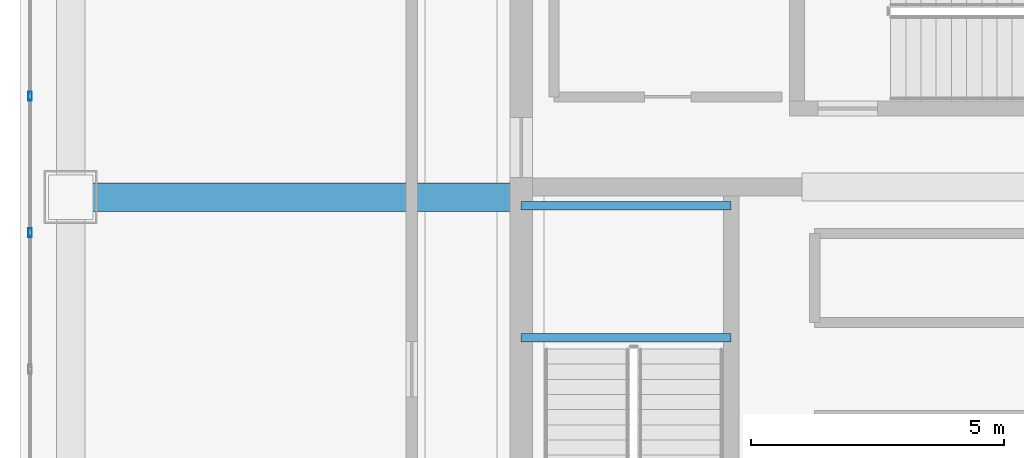
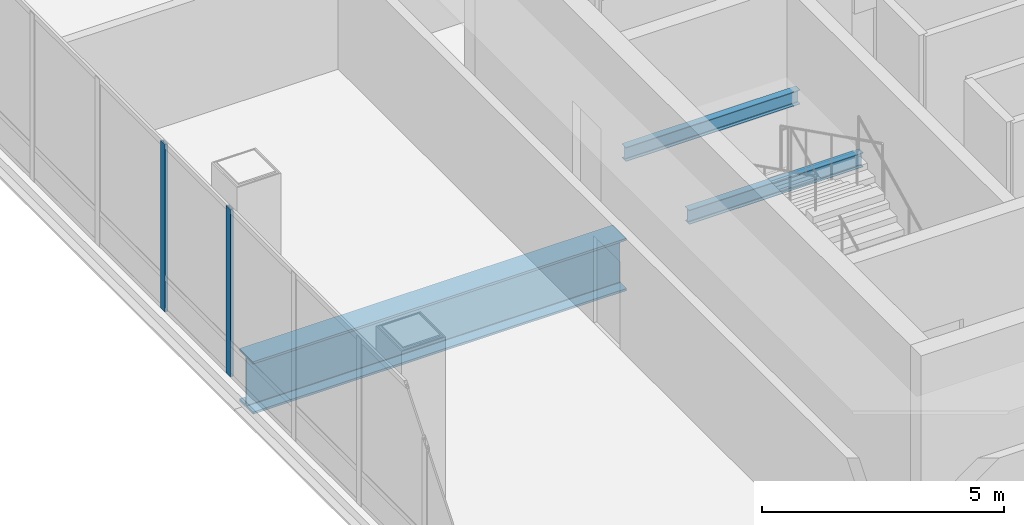
# One storey, part 11 of 33: 3 beams, 2 members, 1 element without a shape of its own.
"""IFC4 building model written with IfcOpenShell, lengths in metres."""

from ifc_helpers import new_model, si_unit, direction, frame, origin, origin_2d, place, context, subcontext, project, spatial, hollow_rectangle, i_section, extrude, material, material_profile, profile_set, type_object, element, aggregate, save


model = new_model("IFC4")

# Units and contexts
model_context = context("Model", 3, precision=1e-05, world=origin(), true_north=direction((0.0, 1.0)))
body_context = subcontext(model_context, "Body", "Model", "MODEL_VIEW")
ifc_project = project(units=[si_unit("LENGTHUNIT", "METRE"), si_unit("AREAUNIT", "SQUARE_METRE"), si_unit("VOLUMEUNIT", "CUBIC_METRE"), si_unit("PLANEANGLEUNIT", "RADIAN"), si_unit("MASSUNIT", "GRAM", prefix="KILO")], contexts=[model_context])

# Site, building, storey
site_placement = place(None, origin())
site = spatial("IfcSite", under=ifc_project, at=site_placement, CompositionType="ELEMENT")
building_placement = place(site_placement, origin())
building = spatial("IfcBuilding", under=site, at=building_placement, Name="Punatoya Terracotta Tower", CompositionType="ELEMENT")
storey_placement = place(building_placement, frame((0.0, 0.0, 348.300048828125)))
storey = spatial("IfcBuildingStorey", under=building, at=storey_placement, Name="L82", CompositionType="ELEMENT", Elevation=348.300048828125)

# Beams
ifc_material_1 = material(Name="Steel S355", Category="steel")
ifc_material_profile_1 = material_profile(ifc_material_1, i_section(OverallWidth=0.169921875, OverallDepth=0.360107421875, WebThickness=0.008056640625, FlangeThickness=0.0126953125, FilletRadius=0.01806640625, at=origin_2d()))
ifc_profile_set_1 = profile_set([ifc_material_profile_1], Name="Steel S355")
beam_type_1 = type_object("IfcBeamType", Name="BM-SEC-360", PredefinedType="JOIST", material=ifc_profile_set_1)
for number, where, z_axis, x_axis, name in (
    (1, (-10.199951171875, 0.6201171875, 1.869873046875), (1.0, 0.0, 0.0), (0.0, 1.0, 0.0), "BM-L82-ST-1-LD1A"),
    (2, (-10.199951171875, 3.22998046875, 1.869873046875), (1.0, 0.0, 0.0), (0.0, 1.0, 0.0), "BM-L82-ST-1-LD1B"),
):
    element("IfcBeam", number, at=place(storey_placement, frame(where, z_axis=z_axis, x_axis=x_axis)), inside=storey, type_object=beam_type_1, Name=name, PredefinedType="JOIST", context=body_context, shape_type="SweptSolid", body=[
        extrude(i_section(OverallWidth=0.169921875, OverallDepth=0.360107421875, WebThickness=0.008056640625, FlangeThickness=0.0126953125, FilletRadius=0.01806640625, at=origin_2d()), origin(), (0.0, 0.0, 1.0), 4.14990234375),
    ])
ifc_material_2 = material(Name="Steel S460", Category="steel")
ifc_material_profile_2 = material_profile(ifc_material_2, i_section(OverallWidth=0.56005859375, OverallDepth=1.320068359375, WebThickness=0.035888671875, FlangeThickness=0.054931640625, FilletRadius=0.01806640625, at=origin_2d()))
ifc_profile_set_2 = profile_set([ifc_material_profile_2], Name="Steel S460")
beam_type_2 = type_object("IfcBeamType", Name="BM-TG-BLK", PredefinedType="BEAM", material=ifc_profile_set_2)
beam_placement = place(storey_placement, frame((-19.10009765625, 3.39990234375, -0.880126953125), z_axis=(1.0, 0.0, 0.0), x_axis=(0.0, 1.0, 0.0)))
element("IfcBeam", 3, at=beam_placement, inside=storey, type_object=beam_type_2, Name="BM-L82-PR-WE", PredefinedType="BEAM", context=body_context, shape_type="SweptSolid", body=[
    extrude(i_section(OverallWidth=0.56005859375, OverallDepth=1.320068359375, WebThickness=0.035888671875, FlangeThickness=0.054931640625, FilletRadius=0.01806640625, at=origin_2d()), origin(), (0.0, 0.0, 1.0), 8.900146484375),
])

# Curtain wall, members
ifc_material_3 = material(Name="Aluminium 6063-T6 + Double Low-E Glass", Category="aluminium")
curtain_wall_type = type_object("IfcCurtainWallType", Name="CW-CRN", PredefinedType="NOTDEFINED", material=ifc_material_3)
curtain_wall_placement = place(storey_placement, origin())
curtain_wall = element("IfcCurtainWall", 4, at=curtain_wall_placement, inside=storey, type_object=curtain_wall_type, Name="L82 Curtain Wall CW-L82-W13-1", PredefinedType="NOTDEFINED")
ifc_material_4 = material(Name="Aluminium 6063-T6", Category="aluminium")
ifc_material_profile_3 = material_profile(ifc_material_4, hollow_rectangle(XDim=0.070068359375, YDim=0.179931640625, WallThickness=0.00390625, at=origin_2d()))
ifc_profile_set_3 = profile_set([ifc_material_profile_3], Name="Aluminium 6063-T6")
member_type = type_object("IfcMemberType", Name="CW-MUL-M3", PredefinedType="MULLION", material=ifc_profile_set_3)
member_1_placement = place(storey_placement, frame((-19.89990234375, 5.3955078125, 0.0), z_axis=(0.0, 0.0, 1.0), x_axis=(1.0, 0.0, 0.0)))
member_1 = element("IfcMember", 5, at=member_1_placement, type_object=member_type, Name="CW-L82-W13-1 Mullion 04", PredefinedType="MULLION", context=body_context, shape_type="SweptSolid", body=[
    extrude(hollow_rectangle(XDim=0.070068359375, YDim=0.179931640625, WallThickness=0.00390625, at=origin_2d()), origin(), (0.0, 0.0, 1.0), 4.219970703125),
])
member_2_placement = place(storey_placement, frame((-19.89990234375, 2.69775390625, 0.0), z_axis=(0.0, 0.0, 1.0), x_axis=(1.0, 0.0, 0.0)))
member_2 = element("IfcMember", 6, at=member_2_placement, type_object=member_type, Name="CW-L82-W13-1 Mullion 05", PredefinedType="MULLION", context=body_context, shape_type="SweptSolid", body=[
    extrude(hollow_rectangle(XDim=0.070068359375, YDim=0.179931640625, WallThickness=0.00390625, at=origin_2d()), origin(), (0.0, 0.0, 1.0), 4.219970703125),
])
aggregate(curtain_wall, [member_1, member_2])

save(model, "model.ifc")
